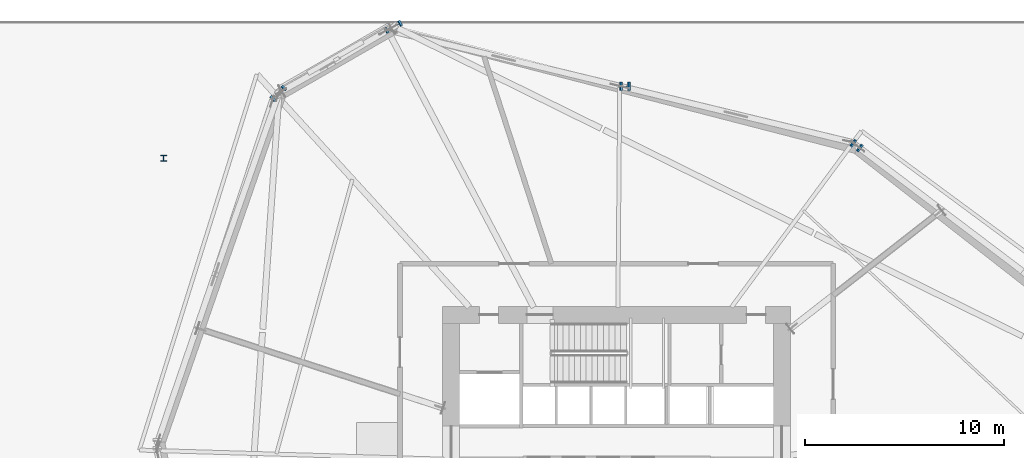
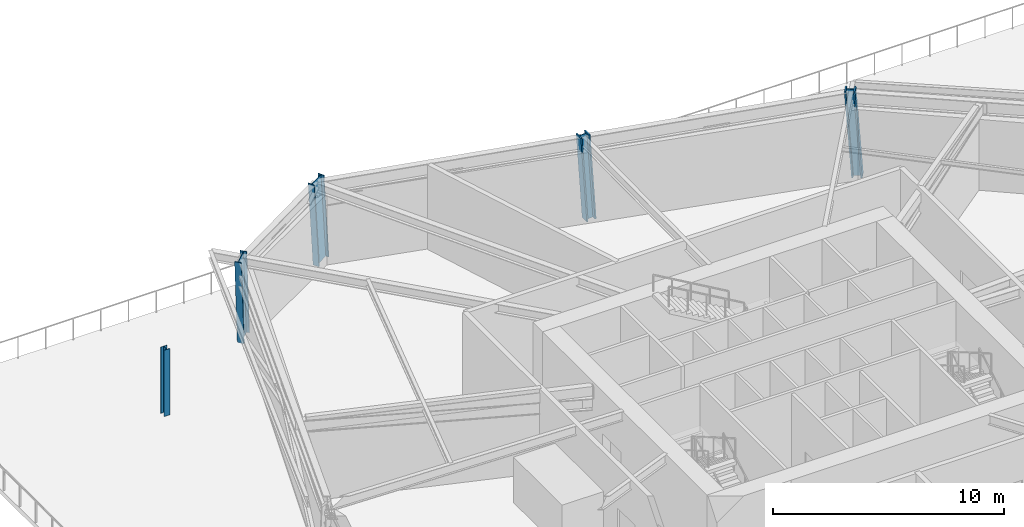
# One storey, part 3 of 20: 5 columns.
"""IFC4 building model written with IfcOpenShell, lengths in metres."""

import ifcopenshell
import ifcopenshell.guid

model = None  # the IFC model being written
_history = None  # IfcOwnerHistory: only IFC2X3 demands one
_inside = {}  # id of a spatial element -> (the spatial element, [elements in it])
_under = {}  # id of a project, library or spatial element -> (it, [spatial elements below it])
_declared = {}  # id of a project -> (the project, [libraries it declares])
_typed = {}  # id of a type object -> (the type object, [elements of that type])
_made_of = {}  # id of a material, layer set ... -> (it, [elements and type objects made of it])


def new_model(schema):
    """Start an empty IFC model of exactly this schema.

    Asked for "IFC4X3", IfcOpenShell would pick the latest addendum, in which some entities
    have other attributes; the version numbers below select the first issue.
    IFC2X3 requires an IfcOwnerHistory on every rooted entity: one is made here for all.
    """
    global model, _history
    if schema == "IFC4X3":
        model = ifcopenshell.file(schema_version=(4, 3, 0, 0))
    else:
        model = ifcopenshell.file(schema=schema)
    _inside.clear()
    _under.clear()
    _declared.clear()
    _typed.clear()
    _made_of.clear()
    _history = None
    if model.schema == "IFC2X3":
        org = make("IfcOrganization", Name="unknown")
        user = make(
            "IfcPersonAndOrganization",
            ThePerson=make("IfcPerson", FamilyName="unknown"),
            TheOrganization=org,
        )
        app = make(
            "IfcApplication",
            ApplicationDeveloper=org,
            Version="unknown",
            ApplicationFullName="unknown",
            ApplicationIdentifier="unknown",
        )
        _history = make(
            "IfcOwnerHistory",
            OwningUser=user,
            OwningApplication=app,
            ChangeAction="ADDED",
            CreationDate=0,
        )
    return model


def make(cls, **values):
    """One entity of the class cls with the attributes given. An attribute that is None is left unset."""
    return model.create_entity(
        cls, **{name: value for name, value in values.items() if value is not None}
    )


def rooted(cls, **values):
    """An entity with a GlobalId (a new one), such as an element, a storey or a relation."""
    return make(cls, GlobalId=ifcopenshell.guid.new(), OwnerHistory=_history, **values)


def si_unit(unit_type, name, prefix=None):
    """IfcSIUnit, for example si_unit("LENGTHUNIT", "METRE", prefix="MILLI")."""
    return make("IfcSIUnit", UnitType=unit_type, Prefix=prefix, Name=name)


def assignment(units):
    """IfcUnitAssignment: the units of a project."""
    return None if units is None else make("IfcUnitAssignment", Units=units)


def point(xyz):
    """IfcCartesianPoint."""
    return None if xyz is None else make("IfcCartesianPoint", Coordinates=xyz)


def direction(xyz):
    """IfcDirection."""
    return None if xyz is None else make("IfcDirection", DirectionRatios=xyz)


def frame(location, z_axis=None, x_axis=None):
    """IfcAxis2Placement3D, a coordinate frame: its origin and axes. An axis left out is left unset."""
    return make(
        "IfcAxis2Placement3D",
        Location=point(location),
        Axis=direction(z_axis),
        RefDirection=direction(x_axis),
    )


def frame_2d(location, x_axis=None):
    """IfcAxis2Placement2D, a coordinate frame in the plane: its origin and x axis."""
    return make(
        "IfcAxis2Placement2D", Location=point(location), RefDirection=direction(x_axis)
    )


def origin():
    """The frame at (0, 0, 0) with its axes left unset."""
    return frame((0.0, 0.0, 0.0))


def origin_2d():
    """The frame at (0, 0) in the plane with its x axis left unset."""
    return frame_2d((0.0, 0.0))


def place(relative_to, where):
    """IfcLocalPlacement: puts the frame where relative to a parent placement (None: the world)."""
    return make(
        "IfcLocalPlacement", PlacementRelTo=relative_to, RelativePlacement=where
    )


def context(
    kind, dimensions, precision=None, world=None, true_north=None, identifier=None
):
    """IfcGeometricRepresentationContext, for example the 3D "Model" context."""
    return make(
        "IfcGeometricRepresentationContext",
        ContextIdentifier=identifier,
        ContextType=kind,
        CoordinateSpaceDimension=dimensions,
        Precision=precision,
        WorldCoordinateSystem=world,
        TrueNorth=true_north,
    )


def subcontext(parent, identifier, kind, view, scale=None):
    """IfcGeometricRepresentationSubContext, for example "Body" below "Model"."""
    return make(
        "IfcGeometricRepresentationSubContext",
        ContextIdentifier=identifier,
        ContextType=kind,
        ParentContext=parent,
        TargetScale=scale,
        TargetView=view,
    )


def project(units=None, contexts=None):
    """IfcProject with its units and contexts."""
    return rooted(
        "IfcProject",
        Name="project",
        RepresentationContexts=contexts,
        UnitsInContext=assignment(units),
    )


def spatial(cls, under=None, at=None, **own):
    """A site, building, storey or space (cls), placed at a placement, below another one or the project."""
    s = rooted(cls, ObjectPlacement=at, **own)
    if under is not None:
        _under.setdefault(under.id(), (under, []))[1].append(s)
    return s


def profile(cls, at=None, kind="AREA", **sizes):
    """A parametric profile (cls). Its sizes go by their IFC names, for example OverallWidth=200.0."""
    return make(cls, ProfileType=kind, Position=at, **sizes)


def i_section(**sizes):
    """IfcIShapeProfileDef."""
    return profile("IfcIShapeProfileDef", **sizes)


def extrude(swept, where, along, depth):
    """IfcExtrudedAreaSolid: the profile swept, set in the frame where, extruded along a direction by depth."""
    return make(
        "IfcExtrudedAreaSolid",
        SweptArea=swept,
        Position=where,
        ExtrudedDirection=direction(along),
        Depth=depth,
    )


def shape(context_of_items, identifier, shape_type, items):
    """IfcShapeRepresentation: the items that make up one representation, for example the "Body"."""
    return make(
        "IfcShapeRepresentation",
        ContextOfItems=context_of_items,
        RepresentationIdentifier=identifier,
        RepresentationType=shape_type,
        Items=items,
    )


def source(mapping_origin, context_of_items, identifier, shape_type, items):
    """IfcRepresentationMap: a shape defined once, which mapped items show again and again."""
    return make(
        "IfcRepresentationMap",
        MappingOrigin=mapping_origin,
        MappedRepresentation=shape(context_of_items, identifier, shape_type, items),
    )


def transform(
    local_origin,
    x_axis=None,
    y_axis=None,
    z_axis=None,
    scale=None,
    scale2=None,
    scale3=None,
    uniform=True,
):
    """IfcCartesianTransformationOperator3D, or its non-uniform kind. x_axis, y_axis, z_axis: its Axis1, 2, 3."""
    if uniform:
        return make(
            "IfcCartesianTransformationOperator3D",
            Axis1=direction(x_axis),
            Axis2=direction(y_axis),
            LocalOrigin=point(local_origin),
            Scale=scale,
            Axis3=direction(z_axis),
        )
    return make(
        "IfcCartesianTransformationOperator3DnonUniform",
        Axis1=direction(x_axis),
        Axis2=direction(y_axis),
        LocalOrigin=point(local_origin),
        Scale=scale,
        Axis3=direction(z_axis),
        Scale2=scale2,
        Scale3=scale3,
    )


def mapped(mapping_source, mapping_target):
    """IfcMappedItem: shows the shape of a source again, moved by a transform."""
    return make(
        "IfcMappedItem", MappingSource=mapping_source, MappingTarget=mapping_target
    )


def material(Name=None, Category=None):
    """IfcMaterial."""
    return make("IfcMaterial", Name=Name, Category=Category)


def material_profile(
    of_material, cross_section, Name=None, Category=None, Priority=None
):
    """IfcMaterialProfile: a cross section and its material."""
    return make(
        "IfcMaterialProfile",
        Name=Name,
        Material=of_material,
        Profile=cross_section,
        Priority=Priority,
        Category=Category,
    )


def profile_set(profiles, Name=None, composite=None):
    """IfcMaterialProfileSet."""
    return make(
        "IfcMaterialProfileSet",
        Name=Name,
        MaterialProfiles=profiles,
        CompositeProfile=composite,
    )


def made_of(thing, what):
    """Note that an element or type object is made of a material, layer set ...; save() writes the relation."""
    if what is not None:
        _made_of.setdefault(what.id(), (what, []))[1].append(thing)
    return thing


def type_object(cls, material=None, **own):
    """A type object (cls), such as IfcWallType, which elements share."""
    return made_of(rooted(cls, **own), material)


def element(
    cls,
    number,
    at=None,
    inside=None,
    cuts=None,
    type_object=None,
    material=None,
    context=None,
    identifier="Body",
    shape_type=None,
    held_by="IfcProductDefinitionShape",
    body=None,
    shapes=None,
    **own,
):
    """One element of the class cls, such as IfcWall. Its Tag is "e" and its number.

    at: its placement. inside: the storey or other place that contains it. cuts: it is an
    opening in that element (IfcRelVoidsElement). A single representation is given by context,
    identifier, shape_type and body (its items); several are given by shapes. held_by: the class
    of the entity that holds the representations. save() writes the other relations.
    """
    e = rooted(cls, Tag="e%d" % number, ObjectPlacement=at, **own)
    if body is not None:
        shapes = [shape(context, identifier, shape_type, body)]
    if shapes is not None:
        e.Representation = make(held_by, Representations=shapes)
    if inside is not None:
        _inside.setdefault(inside.id(), (inside, []))[1].append(e)
    if cuts is not None:
        rooted(
            "IfcRelVoidsElement", RelatingBuildingElement=cuts, RelatedOpeningElement=e
        )
    if type_object is not None:
        _typed.setdefault(type_object.id(), (type_object, []))[1].append(e)
    return made_of(e, material)


def aggregate(whole, parts):
    """IfcRelAggregates: a whole, such as a stair, and the parts it consists of."""
    return rooted("IfcRelAggregates", RelatingObject=whole, RelatedObjects=parts)


def save(model, path):
    """Write the relations noted so far, then the file.

    IfcRelAggregates (storeys below a building ...), IfcRelContainedInSpatialStructure (elements
    in a storey), IfcRelDefinesByType, IfcRelAssociatesMaterial and IfcRelDeclares: one each for
    every whole, place, type object, material and project.
    """
    for whole, parts in _under.values():
        aggregate(whole, parts)
    for where, things in _inside.values():
        rooted(
            "IfcRelContainedInSpatialStructure",
            RelatedElements=things,
            RelatingStructure=where,
        )
    for kind, things in _typed.values():
        rooted("IfcRelDefinesByType", RelatedObjects=things, RelatingType=kind)
    for what, things in _made_of.values():
        rooted("IfcRelAssociatesMaterial", RelatedObjects=things, RelatingMaterial=what)
    for by, libraries in _declared.values():
        rooted("IfcRelDeclares", RelatingContext=by, RelatedDefinitions=libraries)
    model.write(path)


model = new_model("IFC4")

# Units and contexts
model_context = context("Model", 3, precision=1e-05, world=origin(), true_north=direction((0.0, 1.0)))
body_context = subcontext(model_context, "Body", "Model", "MODEL_VIEW")
ifc_project = project(units=[si_unit("LENGTHUNIT", "METRE"), si_unit("AREAUNIT", "SQUARE_METRE"), si_unit("VOLUMEUNIT", "CUBIC_METRE"), si_unit("PLANEANGLEUNIT", "RADIAN"), si_unit("MASSUNIT", "GRAM", prefix="KILO")], contexts=[model_context])

# Site, building, storey
site_placement = place(None, origin())
site = spatial("IfcSite", under=ifc_project, at=site_placement, CompositionType="ELEMENT")
building_placement = place(site_placement, origin())
building = spatial("IfcBuilding", under=site, at=building_placement, Name="Olszyna Solenne Hotel", CompositionType="ELEMENT")
storey_placement = place(building_placement, frame((0.0, 0.0, 24.60009765625)))
storey = spatial("IfcBuildingStorey", under=building, at=storey_placement, Name="L05", CompositionType="ELEMENT", Elevation=24.60009765625)

# Columns
ifc_material_1 = material(Name="Steel S355J2", Category="steel")
ifc_material_profile_1 = material_profile(ifc_material_1, i_section(OverallWidth=0.300048828125, OverallDepth=0.300048828125, WebThickness=0.010986328125, FlangeThickness=0.01904296875, at=origin_2d()), Name="HEB 300", Category="load-bearing")
ifc_profile_set_1 = profile_set([ifc_material_profile_1], Name="Steel S355J2")
column_type_1 = type_object("IfcColumnType", Name="COL-S2", PredefinedType="COLUMN", material=ifc_profile_set_1)
shared_shape_1 = source(origin(), body_context, "Body", "SweptSolid", [
    extrude(i_section(OverallWidth=0.300048828125, OverallDepth=0.300048828125, WebThickness=0.010986328125, FlangeThickness=0.01904296875, at=origin_2d()), origin(), (0.0, 0.0, 1.0), 3.5),
])
column_1_placement = place(storey_placement, frame((15.199951171875, 42.0, 0.0), z_axis=(0.0, 0.0, 1.0), x_axis=(1.0, 0.0, 0.0)))
element("IfcColumn", 1, at=column_1_placement, inside=storey, type_object=column_type_1, Name="Terrace pavilion column COL-S2 C-L05-SG2", PredefinedType="COLUMN", context=body_context, shape_type="MappedRepresentation", body=[
    mapped(shared_shape_1, transform((0.0, 0.0, 0.0), x_axis=(1.0, 0.0, 0.0), y_axis=(0.0, 1.0, 0.0), z_axis=(0.0, 0.0, 1.0), scale=1.0)),
])
ifc_material_2 = material(Name="Steel S460M", Category="steel")
ifc_material_profile_2 = material_profile(ifc_material_2, i_section(OverallWidth=0.424072265625, OverallDepth=0.47412109375, WebThickness=0.04296875, FlangeThickness=0.068115234375, at=origin_2d()), Name="HD 400x634", Category="load-bearing")
ifc_profile_set_2 = profile_set([ifc_material_profile_2], Name="Steel S460M")
column_type_2 = type_object("IfcColumnType", Name="COL-T1", PredefinedType="COLUMN", material=ifc_profile_set_2)
shared_shape_2 = source(origin(), body_context, "Body", "SweptSolid", [
    extrude(i_section(OverallWidth=0.424072265625, OverallDepth=0.47412109375, WebThickness=0.04296875, FlangeThickness=0.068115234375, at=origin_2d()), origin(), (0.0, 0.0, 1.0), 4.5458984375),
])
column_2_placement = place(storey_placement, frame((50.107666015625, 42.6171875, 0.0), z_axis=(-0.055693121898, 0.041407325925, 0.997588948181), x_axis=(-0.596651654511, -0.802500344654, 0.0)))
element("IfcColumn", 2, at=column_2_placement, inside=storey, type_object=column_type_2, Name="Perimeter framed-tube column COL-T1 C-L05-03", PredefinedType="COLUMN", context=body_context, shape_type="MappedRepresentation", body=[
    mapped(shared_shape_2, transform((0.0, 0.0, 0.0), x_axis=(1.0, 0.0, 0.0), y_axis=(0.0, 1.0, 0.0), z_axis=(0.0, 0.0, 1.0), scale=1.0)),
])
shared_shape_3 = source(origin(), body_context, "Body", "SweptSolid", [
    extrude(i_section(OverallWidth=0.424072265625, OverallDepth=0.47412109375, WebThickness=0.04296875, FlangeThickness=0.068115234375, at=origin_2d()), origin(), (0.0, 0.0, 1.0), 4.544677734375),
])
column_3_placement = place(storey_placement, frame((38.458251953125, 45.62939453125, 0.0), z_axis=(-0.065805870044, 0.001074381552, 0.997831866184), x_axis=(-0.016324355083, -0.999866748838, 0.0)))
element("IfcColumn", 3, at=column_3_placement, inside=storey, type_object=column_type_2, Name="Perimeter framed-tube column COL-T1 C-L05-04", PredefinedType="COLUMN", context=body_context, shape_type="MappedRepresentation", body=[
    mapped(shared_shape_3, transform((0.0, 0.0, 0.0), x_axis=(1.0, 0.0, 0.0), y_axis=(0.0, 1.0, 0.0), z_axis=(0.0, 0.0, 1.0), scale=1.0)),
])
ifc_material_profile_3 = material_profile(ifc_material_2, i_section(OverallWidth=0.30810546875, OverallDepth=0.81396484375, WebThickness=0.02099609375, FlangeThickness=0.0400390625, at=origin_2d()), Name="HEM 800", Category="load-bearing")
ifc_profile_set_3 = profile_set([ifc_material_profile_3], Name="Steel S460M")
column_type_3 = type_object("IfcColumnType", Name="COL-K1", PredefinedType="COLUMN", material=ifc_profile_set_3)
shared_shape_4 = source(origin(), body_context, "Body", "SweptSolid", [
    extrude(i_section(OverallWidth=0.30810546875, OverallDepth=0.81396484375, WebThickness=0.02099609375, FlangeThickness=0.0400390625, at=origin_2d()), origin(), (0.0, 0.0, 1.0), 4.551513671875),
])
column_4_placement = place(storey_placement, frame((26.808837890625, 48.6416015625, 0.0), z_axis=(-0.075739179484, -0.03921058088, 0.996356415666), x_axis=(0.459747973035, -0.888049436287, 0.0)))
element("IfcColumn", 4, at=column_4_placement, inside=storey, type_object=column_type_3, Name="Perimeter framed-tube column COL-K1 C-L05-05", PredefinedType="COLUMN", context=body_context, shape_type="MappedRepresentation", body=[
    mapped(shared_shape_4, transform((0.0, 0.0, 0.0), x_axis=(1.0, 0.0, 0.0), y_axis=(0.0, 1.0, 0.0), z_axis=(0.0, 0.0, 1.0), scale=1.0)),
])
shared_shape_5 = source(origin(), body_context, "Body", "SweptSolid", [
    extrude(i_section(OverallWidth=0.30810546875, OverallDepth=0.81396484375, WebThickness=0.02099609375, FlangeThickness=0.0400390625, at=origin_2d()), origin(), (0.0, 0.0, 1.0), 4.55224609375),
])
column_5_placement = place(storey_placement, frame((21.014404296875, 45.309326171875, 0.0), z_axis=(-0.064088836762, -0.059101169968, 0.996192588163), x_axis=(0.677922317054, -0.735133547078, 0.0)))
element("IfcColumn", 5, at=column_5_placement, inside=storey, type_object=column_type_3, Name="Perimeter framed-tube column COL-K1 C-L05-06", PredefinedType="COLUMN", context=body_context, shape_type="MappedRepresentation", body=[
    mapped(shared_shape_5, transform((0.0, 0.0, 0.0), x_axis=(1.0, 0.0, 0.0), y_axis=(0.0, 1.0, 0.0), z_axis=(0.0, 0.0, 1.0), scale=1.0)),
])

save(model, "model.ifc")
